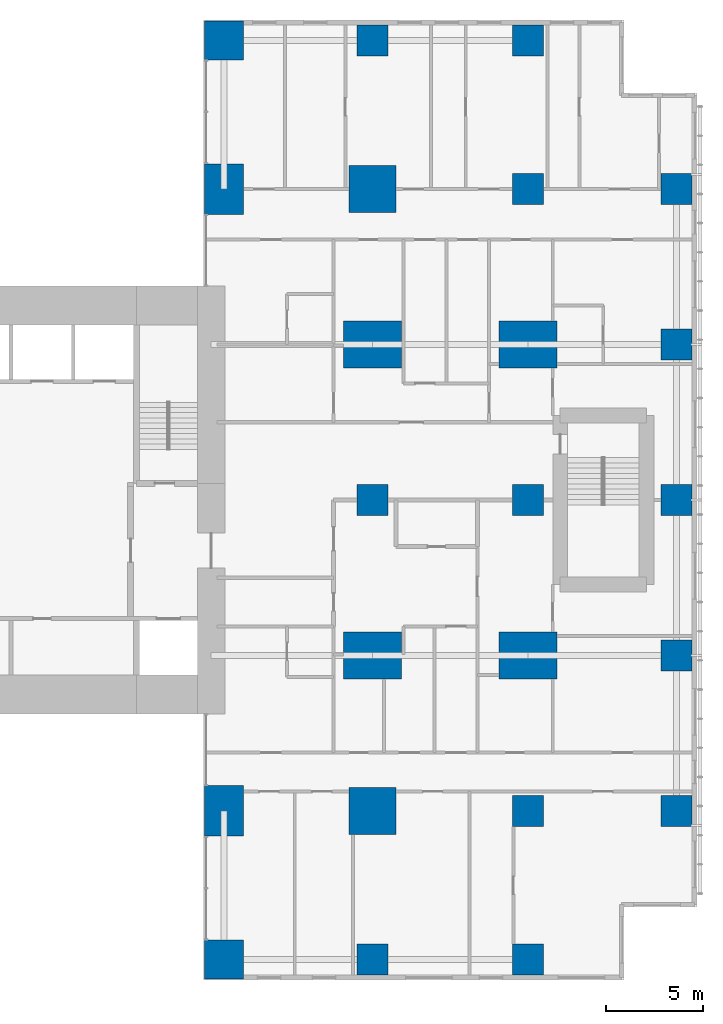
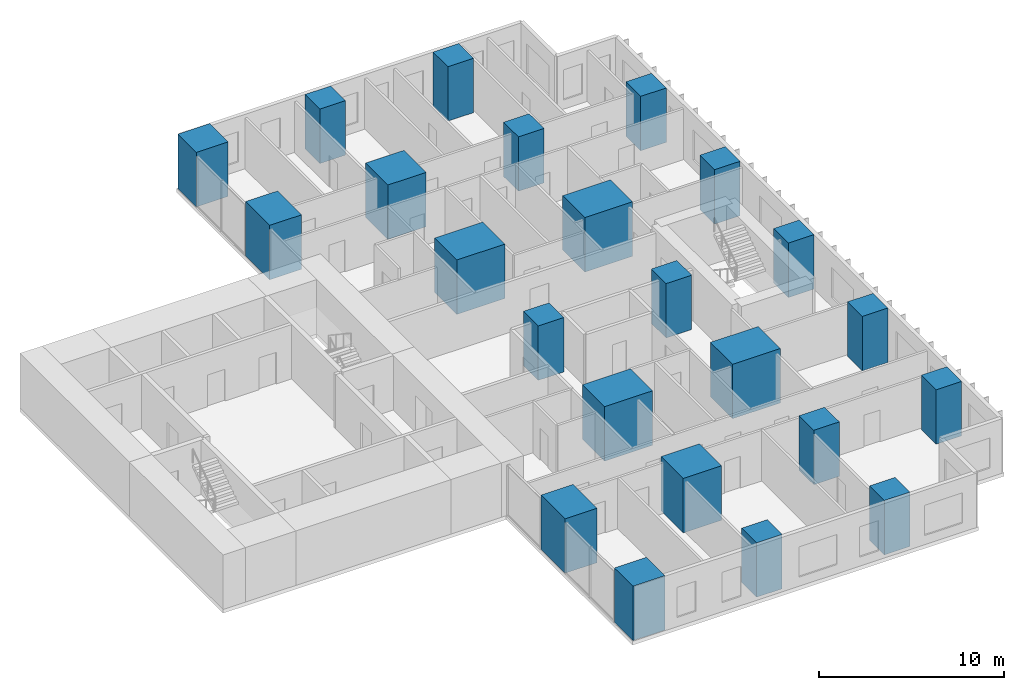
# One storey, part 1 of 12: 23 columns.
"""IFC4 building model written with IfcOpenShell, lengths in metres."""

from ifc_helpers import new_model, si_unit, direction, frame, origin, origin_2d, place, context, subcontext, project, spatial, rectangle, extrude, material, material_profile, profile_set, type_object, element, save


model = new_model("IFC4")

# Units and contexts
model_context = context("Model", 3, precision=1e-05, world=origin(), true_north=direction((0.0, 1.0)))
body_context = subcontext(model_context, "Body", "Model", "MODEL_VIEW")
ifc_project = project(units=[si_unit("LENGTHUNIT", "METRE"), si_unit("AREAUNIT", "SQUARE_METRE"), si_unit("VOLUMEUNIT", "CUBIC_METRE"), si_unit("PLANEANGLEUNIT", "RADIAN"), si_unit("MASSUNIT", "GRAM", prefix="KILO")], contexts=[model_context])

# Site, building, storey
site_placement = place(None, origin())
site = spatial("IfcSite", under=ifc_project, at=site_placement, CompositionType="ELEMENT")
building_placement = place(site_placement, origin())
building = spatial("IfcBuilding", under=site, at=building_placement, Name="Cleftline Residences", CompositionType="ELEMENT")
storey_placement = place(building_placement, frame((0.0, 0.0, 237.60009765625)))
storey = spatial("IfcBuildingStorey", under=building, at=storey_placement, Name="L62", CompositionType="ELEMENT", Elevation=237.60009765625)

# Columns
ifc_material_1 = material(Name="Concrete B70", Category="concrete")
ifc_material_profile_1 = material_profile(ifc_material_1, rectangle(XDim=1.60009765625, YDim=1.60009765625, at=origin_2d()))
ifc_profile_set_1 = profile_set([ifc_material_profile_1], Name="Concrete B70")
column_type_1 = type_object("IfcColumnType", Name="COLUMN RC1600X1600", PredefinedType="COLUMN", material=ifc_profile_set_1)
for number, where, z_axis, x_axis, name in (
    (1, (50.0, 0.35009765625, 0.0), (0.0, 0.0, 1.0), (1.0, 0.0, 0.0), "Column C/9"),
    (2, (50.0, 24.0, 0.0), (0.0, 0.0, 1.0), (1.0, 0.0, 0.0), "Column F/9"),
    (3, (50.0, 47.64990234375, 0.0), (0.0, 0.0, 1.0), (1.0, 0.0, 0.0), "Column J/9"),
    (4, (58.0, 0.35009765625, 0.0), (0.0, 0.0, 1.0), (1.0, 0.0, 0.0), "Column C/10"),
    (5, (58.0, 8.0, 0.0), (0.0, 0.0, 1.0), (1.0, 0.0, 0.0), "Column D/10"),
    (6, (58.0, 24.0, 0.0), (0.0, 0.0, 1.0), (1.0, 0.0, 0.0), "Column F/10"),
    (7, (58.0, 40.0, 0.0), (0.0, 0.0, 1.0), (1.0, 0.0, 0.0), "Column H/10"),
    (8, (58.0, 47.64990234375, 0.0), (0.0, 0.0, 1.0), (1.0, 0.0, 0.0), "Column J/10"),
    (9, (65.64990234375, 8.0, 0.0), (0.0, 0.0, 1.0), (1.0, 0.0, 0.0), "Column D/11"),
    (10, (65.64990234375, 16.0, 0.0), (0.0, 0.0, 1.0), (1.0, 0.0, 0.0), "Column E/11"),
    (11, (65.64990234375, 24.0, 0.0), (0.0, 0.0, 1.0), (1.0, 0.0, 0.0), "Column F/11"),
    (12, (65.64990234375, 32.0, 0.0), (0.0, 0.0, 1.0), (1.0, 0.0, 0.0), "Column G/11"),
    (13, (65.64990234375, 40.0, 0.0), (0.0, 0.0, 1.0), (1.0, 0.0, 0.0), "Column H/11"),
):
    element("IfcColumn", number, at=place(storey_placement, frame(where, z_axis=z_axis, x_axis=x_axis)), inside=storey, type_object=column_type_1, Name=name, PredefinedType="COLUMN", context=body_context, shape_type="SweptSolid", body=[
        extrude(rectangle(XDim=1.60009765625, YDim=1.60009765625, at=origin_2d()), origin(), (0.0, 0.0, 1.0), 3.599853515625),
    ])
ifc_material_2 = material(Name="Concrete B70", Category="concrete")
ifc_material_profile_2 = material_profile(ifc_material_2, rectangle(XDim=2.0, YDim=2.0, at=origin_2d()))
ifc_profile_set_2 = profile_set([ifc_material_profile_2], Name="Concrete B70")
column_type_2 = type_object("IfcColumnType", Name="COLUMN RC2000X2000", PredefinedType="COLUMN", material=ifc_profile_set_2)
for number, where, z_axis, x_axis, name in (
    (14, (42.35009765625, 0.35009765625, 0.0), (0.0, 0.0, 1.0), (1.0, 0.0, 0.0), "Column C/8"),
    (15, (42.35009765625, 47.64990234375, 0.0), (0.0, 0.0, 1.0), (1.0, 0.0, 0.0), "Column J/8"),
):
    element("IfcColumn", number, at=place(storey_placement, frame(where, z_axis=z_axis, x_axis=x_axis)), inside=storey, type_object=column_type_2, Name=name, PredefinedType="COLUMN", context=body_context, shape_type="SweptSolid", body=[
        extrude(rectangle(XDim=2.0, YDim=2.0, at=origin_2d()), origin(), (0.0, 0.0, 1.0), 3.599853515625),
    ])
ifc_material_3 = material(Name="Concrete B70", Category="concrete")
ifc_material_profile_3 = material_profile(ifc_material_3, rectangle(XDim=2.0, YDim=2.60009765625, at=origin_2d()))
ifc_profile_set_3 = profile_set([ifc_material_profile_3], Name="Concrete B70")
column_type_3 = type_object("IfcColumnType", Name="COLUMN RC2000X2600", PredefinedType="COLUMN", material=ifc_profile_set_3)
for number, where, z_axis, x_axis, name in (
    (16, (42.35009765625, 8.0, 0.0), (0.0, 0.0, 1.0), (1.0, 0.0, 0.0), "Column D/8"),
    (17, (42.35009765625, 40.0, 0.0), (0.0, 0.0, 1.0), (1.0, 0.0, 0.0), "Column H/8"),
):
    element("IfcColumn", number, at=place(storey_placement, frame(where, z_axis=z_axis, x_axis=x_axis)), inside=storey, type_object=column_type_3, Name=name, PredefinedType="COLUMN", context=body_context, shape_type="SweptSolid", body=[
        extrude(rectangle(XDim=2.0, YDim=2.60009765625, at=origin_2d()), origin(), (0.0, 0.0, 1.0), 3.599853515625),
    ])
ifc_material_4 = material(Name="Concrete B70", Category="concrete")
ifc_material_profile_4 = material_profile(ifc_material_4, rectangle(XDim=2.39990234375, YDim=2.39990234375, at=origin_2d()))
ifc_profile_set_4 = profile_set([ifc_material_profile_4], Name="Concrete B70")
column_type_4 = type_object("IfcColumnType", Name="COLUMN RC2400X2400", PredefinedType="COLUMN", material=ifc_profile_set_4)
for number, where, z_axis, x_axis, name in (
    (18, (50.0, 8.0, 0.0), (0.0, 0.0, 1.0), (1.0, 0.0, 0.0), "Column D/9"),
    (19, (50.0, 40.0, 0.0), (0.0, 0.0, 1.0), (1.0, 0.0, 0.0), "Column H/9"),
):
    element("IfcColumn", number, at=place(storey_placement, frame(where, z_axis=z_axis, x_axis=x_axis)), inside=storey, type_object=column_type_4, Name=name, PredefinedType="COLUMN", context=body_context, shape_type="SweptSolid", body=[
        extrude(rectangle(XDim=2.39990234375, YDim=2.39990234375, at=origin_2d()), origin(), (0.0, 0.0, 1.0), 3.599853515625),
    ])
ifc_material_5 = material(Name="Concrete B70", Category="concrete")
ifc_material_profile_5 = material_profile(ifc_material_5, rectangle(XDim=3.0, YDim=2.39990234375, at=origin_2d()))
ifc_profile_set_5 = profile_set([ifc_material_profile_5], Name="Concrete B70")
column_type_5 = type_object("IfcColumnType", Name="COLUMN RC3000X2400", PredefinedType="COLUMN", material=ifc_profile_set_5)
for number, where, z_axis, x_axis, name in (
    (20, (50.0, 16.0, 0.0), (0.0, 0.0, 1.0), (1.0, 0.0, 0.0), "Column E/9"),
    (21, (50.0, 32.0, 0.0), (0.0, 0.0, 1.0), (1.0, 0.0, 0.0), "Column G/9"),
    (22, (58.0, 16.0, 0.0), (0.0, 0.0, 1.0), (1.0, 0.0, 0.0), "Column E/10"),
    (23, (58.0, 32.0, 0.0), (0.0, 0.0, 1.0), (1.0, 0.0, 0.0), "Column G/10"),
):
    element("IfcColumn", number, at=place(storey_placement, frame(where, z_axis=z_axis, x_axis=x_axis)), inside=storey, type_object=column_type_5, Name=name, PredefinedType="COLUMN", context=body_context, shape_type="SweptSolid", body=[
        extrude(rectangle(XDim=3.0, YDim=2.39990234375, at=origin_2d()), origin(), (0.0, 0.0, 1.0), 3.599853515625),
    ])

save(model, "model.ifc")
